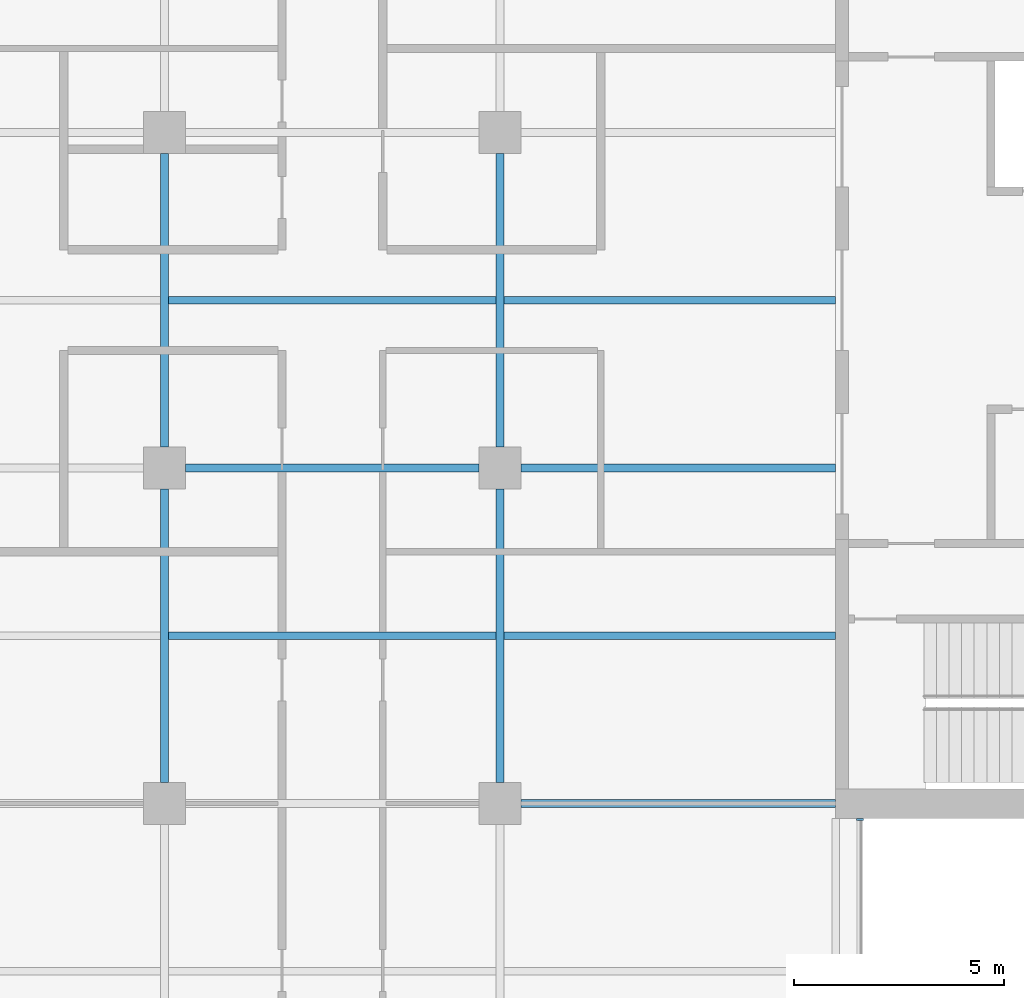
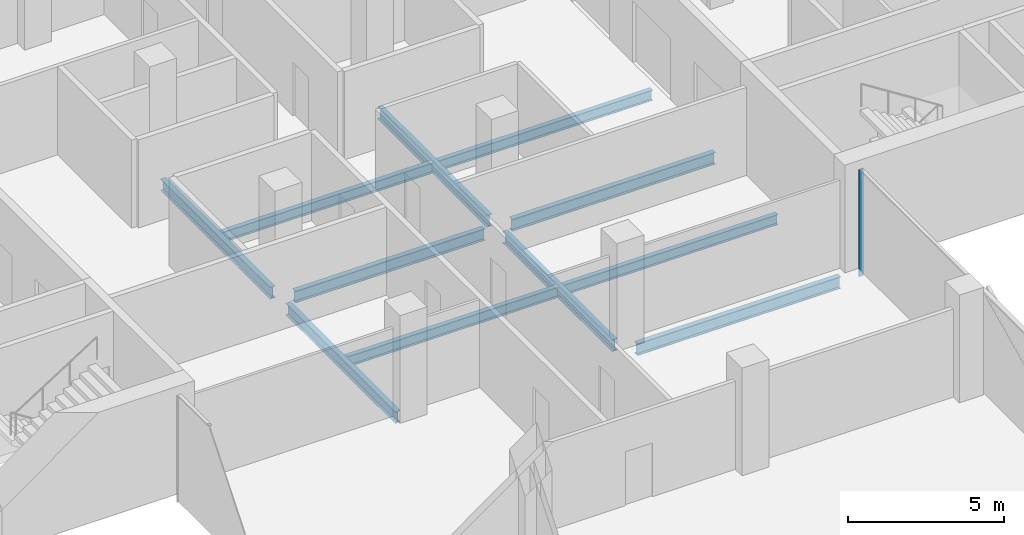
# One storey, part 6 of 22: 11 beams, 1 member, 1 element without a shape of its own.
"""IFC4 building model written with IfcOpenShell, lengths in metres."""

from ifc_helpers import new_model, si_unit, direction, frame, origin, origin_2d, place, context, subcontext, project, spatial, rectangle, i_section, extrude, material, material_profile, profile_set, type_object, element, aggregate, save


model = new_model("IFC4")

# Units and contexts
model_context = context("Model", 3, precision=1e-05, world=origin(), true_north=direction((0.0, 1.0)))
body_context = subcontext(model_context, "Body", "Model", "MODEL_VIEW")
ifc_project = project(units=[si_unit("LENGTHUNIT", "METRE"), si_unit("AREAUNIT", "SQUARE_METRE"), si_unit("VOLUMEUNIT", "CUBIC_METRE"), si_unit("PLANEANGLEUNIT", "RADIAN"), si_unit("MASSUNIT", "GRAM", prefix="KILO")], contexts=[model_context])

# Site, building, storey
site_placement = place(None, origin())
site = spatial("IfcSite", under=ifc_project, at=site_placement, CompositionType="ELEMENT")
building_placement = place(site_placement, origin())
building = spatial("IfcBuilding", under=site, at=building_placement, Name="Crosswind Convention Tower", CompositionType="ELEMENT")
storey_placement = place(building_placement, frame((0.0, 0.0, 129.5)))
storey = spatial("IfcBuildingStorey", under=building, at=storey_placement, Name="L26", CompositionType="ELEMENT", Elevation=129.5)

# Beams
ifc_material_1 = material(Name="Steel S355", Category="steel")
ifc_material_profile_1 = material_profile(ifc_material_1, i_section(OverallWidth=0.19140625, OverallDepth=0.460205078125, WebThickness=0.010009765625, FlangeThickness=0.01611328125, FilletRadius=0.01025390625, at=origin_2d()), Name="UB 457x191x82")
ifc_profile_set_1 = profile_set([ifc_material_profile_1], Name="Steel S355")
beam_type_1 = type_object("IfcBeamType", Name="Girder UB 457x191x82", PredefinedType="BEAM", material=ifc_profile_set_1)
for number, where, z_axis, x_axis, name in (
    (1, (121.0, 88.5, -0.530029296875), (0.0, 1.0, 0.0), (-1.0, 0.0, 0.0), "B3 L26 girder 5"),
    (2, (121.0, 96.5, -0.530029296875), (0.0, 1.0, 0.0), (-1.0, 0.0, 0.0), "B3 L26 girder 6"),
    (3, (121.5, 96.0, -0.530029296875), (1.0, 0.0, 0.0), (0.0, 1.0, 0.0), "B3 L26 girder 12"),
    (4, (129.0, 88.5, -0.530029296875), (0.0, 1.0, 0.0), (-1.0, 0.0, 0.0), "B3 L26 girder 18"),
    (5, (129.0, 96.5, -0.530029296875), (0.0, 1.0, 0.0), (-1.0, 0.0, 0.0), "B3 L26 girder 19"),
):
    element("IfcBeam", number, at=place(storey_placement, frame(where, z_axis=z_axis, x_axis=x_axis)), inside=storey, type_object=beam_type_1, Name=name, PredefinedType="BEAM", context=body_context, shape_type="SweptSolid", body=[
        extrude(i_section(OverallWidth=0.19140625, OverallDepth=0.460205078125, WebThickness=0.010009765625, FlangeThickness=0.01611328125, FilletRadius=0.01025390625, at=origin_2d()), origin(), (0.0, 0.0, 1.0), 7.0),
    ])
ifc_material_profile_2 = material_profile(ifc_material_1, i_section(OverallWidth=0.19189453125, OverallDepth=0.463623046875, WebThickness=0.010498046875, FlangeThickness=0.017578125, FilletRadius=0.01025390625, at=origin_2d()), Name="UB 457x191x90")
ifc_profile_set_2 = profile_set([ifc_material_profile_2], Name="Steel S355")
beam_type_2 = type_object("IfcBeamType", Name="Girder at core wall UB 457x191x90", PredefinedType="BEAM", material=ifc_profile_set_2)
for number, where, z_axis, x_axis, name in (
    (6, (129.5, 88.0, -0.53173828125), (1.0, 0.0, 0.0), (0.0, 1.0, 0.0), "B24 L26 girder at core wall 7"),
    (7, (129.5, 96.0, -0.53173828125), (1.0, 0.0, 0.0), (0.0, 1.0, 0.0), "B24 L26 girder at core wall 8"),
):
    element("IfcBeam", number, at=place(storey_placement, frame(where, z_axis=z_axis, x_axis=x_axis)), inside=storey, type_object=beam_type_2, Name=name, PredefinedType="BEAM", context=body_context, shape_type="SweptSolid", body=[
        extrude(i_section(OverallWidth=0.19189453125, OverallDepth=0.463623046875, WebThickness=0.010498046875, FlangeThickness=0.017578125, FilletRadius=0.01025390625, at=origin_2d()), origin(), (0.0, 0.0, 1.0), 7.5),
    ])

# Curtain wall, member
ifc_material_2 = material(Name="Aluminium unitised curtain wall", Category="aluminium")
curtain_wall_type = type_object("IfcCurtainWallType", Name="CORE END SLOT WALL 160", PredefinedType="USERDEFINED", material=ifc_material_2)
curtain_wall_placement = place(storey_placement, origin())
curtain_wall = element("IfcCurtainWall", 8, at=curtain_wall_placement, inside=storey, type_object=curtain_wall_type, Name="CW6 L26 S-E.1-2 slot", ObjectType="UNITISED", PredefinedType="USERDEFINED")
ifc_material_3 = material(Name="Aluminium mullion", Category="aluminium")
ifc_material_profile_3 = material_profile(ifc_material_3, rectangle(XDim=0.159912109375, YDim=0.050048828125, at=origin_2d()), Name="AL 160X50")
ifc_profile_set_3 = profile_set([ifc_material_profile_3], Name="Aluminium mullion")
member_type = type_object("IfcMemberType", Name="MULLION 50X160", PredefinedType="MULLION", material=ifc_profile_set_3)
member_placement = place(storey_placement, frame((137.580078125, 87.625, -0.300048828125), z_axis=(0.0, 0.0, 1.0), x_axis=(1.0, 0.0, 0.0)))
member = element("IfcMember", 9, at=member_placement, type_object=member_type, Name="CW6 mullion 2", PredefinedType="MULLION", context=body_context, shape_type="SweptSolid", body=[
    extrude(rectangle(XDim=0.159912109375, YDim=0.050048828125, at=origin_2d()), origin(), (0.0, 0.0, 1.0), 4.150146484375),
])
aggregate(curtain_wall, [member])

# Beams
ifc_material_profile_4 = material_profile(ifc_material_1, i_section(OverallWidth=0.177734375, OverallDepth=0.406494140625, WebThickness=0.0078125, FlangeThickness=0.0126953125, FilletRadius=0.01025390625, at=origin_2d()), Name="UB 406x178x60")
ifc_profile_set_4 = profile_set([ifc_material_profile_4], Name="Steel S355")
beam_type_3 = type_object("IfcBeamType", Name="Secondary beam UB 406x178x60", PredefinedType="JOIST", material=ifc_profile_set_4)
for number, where, z_axis, x_axis, name in (
    (10, (121.095703125, 92.0, -0.503173828125), (1.0, 0.0, 0.0), (0.0, 1.0, 0.0), "B10 L26 secondary beam 13"),
    (11, (121.095703125, 100.0, -0.503173828125), (1.0, 0.0, 0.0), (0.0, 1.0, 0.0), "B10 L26 secondary beam 14"),
):
    element("IfcBeam", number, at=place(storey_placement, frame(where, z_axis=z_axis, x_axis=x_axis)), inside=storey, type_object=beam_type_3, Name=name, PredefinedType="JOIST", context=body_context, shape_type="SweptSolid", body=[
        extrude(i_section(OverallWidth=0.177734375, OverallDepth=0.406494140625, WebThickness=0.0078125, FlangeThickness=0.0126953125, FilletRadius=0.01025390625, at=origin_2d()), origin(), (0.0, 0.0, 1.0), 7.80859375),
    ])
for number, where, z_axis, x_axis, name in (
    (12, (129.095703125, 92.0, -0.503173828125), (1.0, 0.0, 0.0), (0.0, 1.0, 0.0), "B10 L26 secondary beam 20"),
    (13, (129.095703125, 100.0, -0.503173828125), (1.0, 0.0, 0.0), (0.0, 1.0, 0.0), "B10 L26 secondary beam 21"),
):
    element("IfcBeam", number, at=place(storey_placement, frame(where, z_axis=z_axis, x_axis=x_axis)), inside=storey, type_object=beam_type_3, Name=name, PredefinedType="JOIST", context=body_context, shape_type="SweptSolid", body=[
        extrude(i_section(OverallWidth=0.177734375, OverallDepth=0.406494140625, WebThickness=0.0078125, FlangeThickness=0.0126953125, FilletRadius=0.01025390625, at=origin_2d()), origin(), (0.0, 0.0, 1.0), 7.904296875),
    ])

save(model, "model.ifc")
